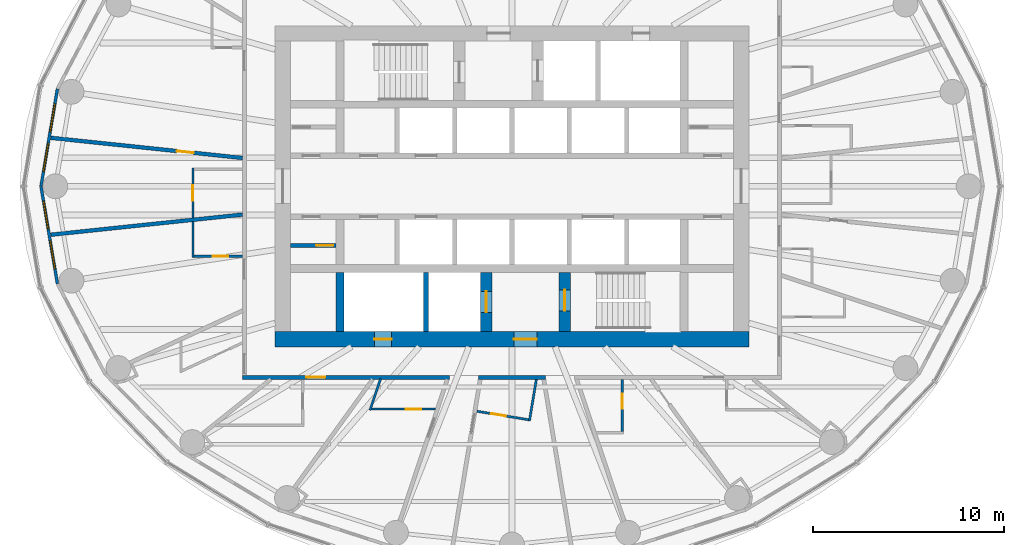
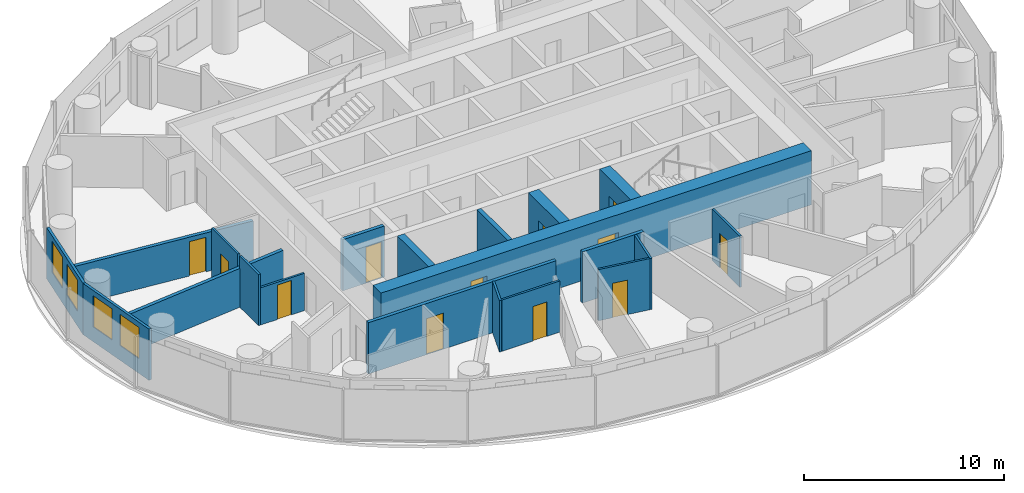
# One storey, part 7 of 13: 20 walls, 12 doors, 4 windows, 16 openings.
"""IFC4 building model written with IfcOpenShell, lengths in metres."""

from ifc_helpers import new_model, si_unit, direction, frame, frame_2d, origin, place, context, subcontext, project, spatial, rectangle, extrude, material, layer, layer_set, type_object, element, fill, save


model = new_model("IFC4")

# Units and contexts
model_context = context("Model", 3, precision=1e-05, world=origin(), true_north=direction((0.0, 1.0)))
body_context = subcontext(model_context, "Body", "Model", "MODEL_VIEW")
ifc_project = project(units=[si_unit("LENGTHUNIT", "METRE"), si_unit("AREAUNIT", "SQUARE_METRE"), si_unit("VOLUMEUNIT", "CUBIC_METRE"), si_unit("PLANEANGLEUNIT", "RADIAN"), si_unit("MASSUNIT", "GRAM", prefix="KILO")], contexts=[model_context])

# Site, building, storey
site_placement = place(None, origin())
site = spatial("IfcSite", under=ifc_project, at=site_placement, CompositionType="ELEMENT")
building_placement = place(site_placement, origin())
building = spatial("IfcBuilding", under=site, at=building_placement, Name="Hankou Lantern Tower", CompositionType="ELEMENT")
storey_placement = place(building_placement, frame((0.0, 0.0, 132.0)))
storey = spatial("IfcBuildingStorey", under=building, at=storey_placement, Name="L34", CompositionType="ELEMENT", Elevation=132.0)

# Wall, openings, doors
ifc_material_1 = material(Name="Concrete C60", Category="concrete")
ifc_layer_1 = layer(ifc_material_1, 0.800048828125)
ifc_layer_set_1 = layer_set([ifc_layer_1], Name="Concrete C60")
wall_type_1 = type_object("IfcWallType", Name="CW2 CORE WALL 800", PredefinedType="SHEAR", material=ifc_layer_set_1)
wall_1_placement = place(storey_placement, frame((12.39990234375, -8.0, 0.0), z_axis=(0.0, 0.0, 1.0), x_axis=(-1.0, 0.0, 0.0)))
wall_1 = element("IfcWall", 1, at=wall_1_placement, inside=storey, type_object=wall_type_1, Name="Core wall south L34", PredefinedType="SHEAR", context=body_context, shape_type="SweptSolid", body=[
    extrude(rectangle(XDim=24.7998046875, YDim=0.800048828125, at=frame_2d((12.39990234375, 0.0))), origin(), (0.0, 0.0, 1.0), 3.300048828125),
])
opening_1_placement = place(wall_1_placement, frame((11.10009765625, 0.0, 0.0)))
opening_1 = element("IfcOpeningElement", 2, at=opening_1_placement, cuts=wall_1, Name="Opening D5", PredefinedType="OPENING", context=body_context, shape_type="SweptSolid", body=[
    extrude(rectangle(XDim=1.199951171875, YDim=2.199951171875, at=frame_2d((0.60009765625, 1.10009765625))), frame((0.0, 0.409912109375, 0.0), z_axis=(0.0, -1.0, 0.0), x_axis=(1.0, 0.0, 0.0)), (0.0, 0.0, 1.0), 0.820068359375),
])
opening_2_placement = place(wall_1_placement, frame((18.699951171875, 0.0, 0.0)))
opening_2 = element("IfcOpeningElement", 3, at=opening_2_placement, cuts=wall_1, Name="Opening D7", PredefinedType="OPENING", context=body_context, shape_type="SweptSolid", body=[
    extrude(rectangle(XDim=0.89990234375, YDim=2.199951171875, at=frame_2d((0.449951171875, 1.10009765625))), frame((0.0, 0.409912109375, 0.0), z_axis=(0.0, -1.0, 0.0), x_axis=(1.0, 0.0, 0.0)), (0.0, 0.0, 1.0), 0.820068359375),
])
ifc_material_2 = material(Name="Steel door leaf", Category="steel")
door_type_1 = type_object("IfcDoorType", Name="D5 STAIR LOBBY DOOR 1200X2200", OperationType="SINGLE_SWING_LEFT", PredefinedType="DOOR", material=ifc_material_2)
door_1_placement = place(opening_1_placement, origin())
door_1 = element("IfcDoor", 4, at=door_1_placement, inside=storey, type_object=door_type_1, Name="Stair B lobby door", OperationType="SINGLE_SWING_LEFT", OverallHeight=2.199951171875, OverallWidth=1.199951171875, PredefinedType="DOOR", context=body_context, shape_type="SweptSolid", body=[
    extrude(rectangle(XDim=1.199951171875, YDim=2.199951171875, at=frame_2d((0.60009765625, 1.10009765625))), frame((0.0, 0.02490234375, 0.0), z_axis=(0.0, -1.0, 0.0), x_axis=(1.0, 0.0, 0.0)), (0.0, 0.0, 1.0), 0.050048828125),
])
fill(opening_1, door_1)
ifc_material_3 = material(Name="Steel door leaf", Category="steel")
door_type_2 = type_object("IfcDoorType", Name="D7 RISER DOOR 900X2200", OperationType="SINGLE_SWING_LEFT", PredefinedType="DOOR", material=ifc_material_3)
door_2_placement = place(opening_2_placement, origin())
door_2 = element("IfcDoor", 5, at=door_2_placement, inside=storey, type_object=door_type_2, Name="Riser S1 door", OperationType="SINGLE_SWING_RIGHT", OverallHeight=2.199951171875, OverallWidth=0.89990234375, PredefinedType="DOOR", context=body_context, shape_type="SweptSolid", body=[
    extrude(rectangle(XDim=0.89990234375, YDim=2.199951171875, at=frame_2d((0.449951171875, 1.10009765625))), frame((0.0, 0.02490234375, 0.0), z_axis=(0.0, -1.0, 0.0), x_axis=(1.0, 0.0, 0.0)), (0.0, 0.0, 1.0), 0.050048828125),
])
fill(opening_2, door_2)

# Wall
ifc_material_4 = material(Name="Concrete C60", Category="concrete")
ifc_layer_2 = layer(ifc_material_4, 0.39990234375)
ifc_layer_set_2 = layer_set([ifc_layer_2], Name="Concrete C60")
wall_type_2 = type_object("IfcWallType", Name="CW4 CORE CROSS WALL 400", PredefinedType="SHEAR", material=ifc_layer_set_2)
wall_2_placement = place(storey_placement, frame((-9.0, -7.60009765625, 0.0), z_axis=(0.0, 0.0, 1.0), x_axis=(0.0, 1.0, 0.0)))
element("IfcWall", 6, at=wall_2_placement, inside=storey, type_object=wall_type_2, Name="Core strip wall L34", PredefinedType="SHEAR", context=body_context, shape_type="SweptSolid", body=[
    extrude(rectangle(XDim=3.10009765625, YDim=0.39990234375, at=frame_2d((1.550048828125, 0.0))), origin(), (0.0, 0.0, 1.0), 3.300048828125),
])

# Wall, opening, door
ifc_material_5 = material(Name="Concrete C60", Category="concrete")
ifc_layer_3 = layer(ifc_material_5, 0.60009765625)
ifc_layer_set_3 = layer_set([ifc_layer_3], Name="Concrete C60")
wall_type_3 = type_object("IfcWallType", Name="CW6 STAIR AND SHAFT WALL 600", PredefinedType="SHEAR", material=ifc_layer_set_3)
wall_3_placement = place(storey_placement, frame((2.75, -7.60009765625, 0.0), z_axis=(0.0, 0.0, 1.0), x_axis=(0.0, 1.0, 0.0)))
wall_3 = element("IfcWall", 7, at=wall_3_placement, inside=storey, type_object=wall_type_3, Name="Stair wall L34", PredefinedType="SHEAR", context=body_context, shape_type="SweptSolid", body=[
    extrude(rectangle(XDim=3.10009765625, YDim=0.60009765625, at=frame_2d((1.550048828125, 0.0))), origin(), (0.0, 0.0, 1.0), 3.300048828125),
])
opening_3_placement = place(wall_3_placement, frame((1.074951171875, 0.0, 0.0)))
opening_3 = element("IfcOpeningElement", 8, at=opening_3_placement, cuts=wall_3, Name="Opening D4", PredefinedType="OPENING", context=body_context, shape_type="SweptSolid", body=[
    extrude(rectangle(XDim=1.10009765625, YDim=2.199951171875, at=frame_2d((0.550048828125, 1.10009765625))), frame((0.0, 0.31005859375, 0.0), z_axis=(0.0, -1.0, 0.0), x_axis=(1.0, 0.0, 0.0)), (0.0, 0.0, 1.0), 0.6201171875),
])
ifc_material_6 = material(Name="Steel door leaf", Category="steel")
door_type_3 = type_object("IfcDoorType", Name="D4 STAIR DOOR 1100X2200", OperationType="SINGLE_SWING_LEFT", PredefinedType="DOOR", material=ifc_material_6)
door_3_placement = place(opening_3_placement, origin())
door_3 = element("IfcDoor", 9, at=door_3_placement, inside=storey, type_object=door_type_3, Name="Stair B door", OperationType="SINGLE_SWING_RIGHT", OverallHeight=2.199951171875, OverallWidth=1.10009765625, PredefinedType="DOOR", context=body_context, shape_type="SweptSolid", body=[
    extrude(rectangle(XDim=1.10009765625, YDim=2.199951171875, at=frame_2d((0.550048828125, 1.10009765625))), frame((0.0, 0.02490234375, 0.0), z_axis=(0.0, -1.0, 0.0), x_axis=(1.0, 0.0, 0.0)), (0.0, 0.0, 1.0), 0.050048828125),
])
fill(opening_3, door_3)

wall_4_placement = place(storey_placement, frame((-1.35009765625, -7.60009765625, 0.0), z_axis=(0.0, 0.0, 1.0), x_axis=(0.0, 1.0, 0.0)))
wall_4 = element("IfcWall", 10, at=wall_4_placement, inside=storey, type_object=wall_type_3, Name="Firefighting lift shaft wall L34", PredefinedType="SHEAR", context=body_context, shape_type="SweptSolid", body=[
    extrude(rectangle(XDim=3.10009765625, YDim=0.60009765625, at=frame_2d((1.550048828125, 0.0))), origin(), (0.0, 0.0, 1.0), 3.300048828125),
])
opening_4_placement = place(wall_4_placement, frame((1.0, 0.0, 0.0)))
opening_4 = element("IfcOpeningElement", 11, at=opening_4_placement, cuts=wall_4, Name="Opening LD2", PredefinedType="OPENING", context=body_context, shape_type="SweptSolid", body=[
    extrude(rectangle(XDim=1.10009765625, YDim=2.199951171875, at=frame_2d((0.550048828125, 1.10009765625))), frame((0.0, 0.31005859375, 0.0), z_axis=(0.0, -1.0, 0.0), x_axis=(1.0, 0.0, 0.0)), (0.0, 0.0, 1.0), 0.6201171875),
])
ifc_material_7 = material(Name="Steel door leaf", Category="steel")
door_type_4 = type_object("IfcDoorType", Name="LD2 FIREFIGHTING LIFT LANDING DOOR 1100X2200", OperationType="DOUBLE_DOOR_SLIDING", PredefinedType="DOOR", material=ifc_material_7)
door_4_placement = place(opening_4_placement, origin())
door_4 = element("IfcDoor", 12, at=door_4_placement, inside=storey, type_object=door_type_4, Name="Firefighting lift FL2 landing door", OperationType="DOUBLE_DOOR_SLIDING", OverallHeight=2.199951171875, OverallWidth=1.10009765625, PredefinedType="DOOR", context=body_context, shape_type="SweptSolid", body=[
    extrude(rectangle(XDim=1.10009765625, YDim=2.199951171875, at=frame_2d((0.550048828125, 1.10009765625))), frame((0.0, 0.02490234375, 0.0), z_axis=(0.0, -1.0, 0.0), x_axis=(1.0, 0.0, 0.0)), (0.0, 0.0, 1.0), 0.050048828125),
])
fill(opening_4, door_4)

# Wall, openings, windows
ifc_material_8 = material(Name="Aluminium spandrel panel on steel studs", Category="steel")
ifc_layer_4 = layer(ifc_material_8, 0.14990234375)
ifc_layer_set_4 = layer_set([ifc_layer_4], Name="Aluminium spandrel panel on steel studs")
wall_type_4 = type_object("IfcWallType", Name="EW1 INNER SKIN WALL 150", PredefinedType="ELEMENTEDWALL", material=ifc_layer_set_4)
wall_5_placement = place(storey_placement, frame((-23.7919921875, 5.10009765625, 0.0), z_axis=(0.0, 0.0, 1.0), x_axis=(-0.165883894218, -0.986145290329, 0.0)))
wall_5 = element("IfcWall", 13, at=wall_5_placement, inside=storey, type_object=wall_type_4, Name="Inner skin R12-R13 L34", PredefinedType="ELEMENTEDWALL", context=body_context, shape_type="SweptSolid", body=[
    extrude(rectangle(XDim=5.171630859375, YDim=0.14990234375, at=frame_2d((2.5859375, 0.0))), origin(), (0.0, 0.0, 1.0), 3.1201171875),
])
opening_5_placement = place(wall_5_placement, frame((0.785888671875, 0.0, 0.89990234375)))
opening_5 = element("IfcOpeningElement", 14, at=opening_5_placement, cuts=wall_5, Name="Opening W2", PredefinedType="OPENING", context=body_context, shape_type="SweptSolid", body=[
    extrude(rectangle(XDim=1.5, YDim=1.89990234375, at=frame_2d((0.75, 0.949951171875))), frame((0.0, 0.0849609375, 0.0), z_axis=(0.0, -1.0, 0.0), x_axis=(1.0, 0.0, 0.0)), (0.0, 0.0, 1.0), 0.169921875),
])
opening_6_placement = place(wall_5_placement, frame((2.8857421875, 0.0, 0.89990234375)))
opening_6 = element("IfcOpeningElement", 15, at=opening_6_placement, cuts=wall_5, Name="Opening W2", PredefinedType="OPENING", context=body_context, shape_type="SweptSolid", body=[
    extrude(rectangle(XDim=1.5, YDim=1.89990234375, at=frame_2d((0.75, 0.949951171875))), frame((0.0, 0.0849609375, 0.0), z_axis=(0.0, -1.0, 0.0), x_axis=(1.0, 0.0, 0.0)), (0.0, 0.0, 1.0), 0.169921875),
])
ifc_material_9 = material(Name="Aluminium framed double glazed window", Category="aluminium")
window_type = type_object("IfcWindowType", Name="W2 GUEST ROOM WINDOW 1500X1900", PartitioningType="DOUBLE_PANEL_VERTICAL", PredefinedType="WINDOW", material=ifc_material_9)
window_1_placement = place(opening_5_placement, origin())
window_1 = element("IfcWindow", 16, at=window_1_placement, inside=storey, type_object=window_type, Name="Window R12.1 L34", OverallHeight=1.89990234375, OverallWidth=1.5, PartitioningType="SINGLE_PANEL", PredefinedType="WINDOW", context=body_context, shape_type="SweptSolid", body=[
    extrude(rectangle(XDim=1.5, YDim=1.89990234375, at=frame_2d((0.75, 0.949951171875))), frame((0.0, 0.030029296875, 0.0), z_axis=(0.0, -1.0, 0.0), x_axis=(1.0, 0.0, 0.0)), (0.0, 0.0, 1.0), 0.06005859375),
])
fill(opening_5, window_1)
window_2_placement = place(opening_6_placement, origin())
window_2 = element("IfcWindow", 17, at=window_2_placement, inside=storey, type_object=window_type, Name="Window R12.2 L34", OverallHeight=1.89990234375, OverallWidth=1.5, PartitioningType="SINGLE_PANEL", PredefinedType="WINDOW", context=body_context, shape_type="SweptSolid", body=[
    extrude(rectangle(XDim=1.5, YDim=1.89990234375, at=frame_2d((0.75, 0.949951171875))), frame((0.0, 0.030029296875, 0.0), z_axis=(0.0, -1.0, 0.0), x_axis=(1.0, 0.0, 0.0)), (0.0, 0.0, 1.0), 0.06005859375),
])
fill(opening_6, window_2)

wall_6_placement = place(storey_placement, frame((-24.64990234375, 0.0, 0.0), z_axis=(0.0, 0.0, 1.0), x_axis=(0.165883894218, -0.986145290329, 0.0)))
wall_6 = element("IfcWall", 18, at=wall_6_placement, inside=storey, type_object=wall_type_4, Name="Inner skin R13-R14 L34", PredefinedType="ELEMENTEDWALL", context=body_context, shape_type="SweptSolid", body=[
    extrude(rectangle(XDim=5.171630859375, YDim=0.14990234375, at=frame_2d((2.5859375, 0.0))), origin(), (0.0, 0.0, 1.0), 3.1201171875),
])
opening_7_placement = place(wall_6_placement, frame((0.785888671875, 0.0, 0.89990234375)))
opening_7 = element("IfcOpeningElement", 19, at=opening_7_placement, cuts=wall_6, Name="Opening W2", PredefinedType="OPENING", context=body_context, shape_type="SweptSolid", body=[
    extrude(rectangle(XDim=1.5, YDim=1.89990234375, at=frame_2d((0.75, 0.949951171875))), frame((0.0, 0.0849609375, 0.0), z_axis=(0.0, -1.0, 0.0), x_axis=(1.0, 0.0, 0.0)), (0.0, 0.0, 1.0), 0.169921875),
])
opening_8_placement = place(wall_6_placement, frame((2.8857421875, 0.0, 0.89990234375)))
opening_8 = element("IfcOpeningElement", 20, at=opening_8_placement, cuts=wall_6, Name="Opening W2", PredefinedType="OPENING", context=body_context, shape_type="SweptSolid", body=[
    extrude(rectangle(XDim=1.5, YDim=1.89990234375, at=frame_2d((0.75, 0.949951171875))), frame((0.0, 0.0849609375, 0.0), z_axis=(0.0, -1.0, 0.0), x_axis=(1.0, 0.0, 0.0)), (0.0, 0.0, 1.0), 0.169921875),
])
window_3_placement = place(opening_7_placement, origin())
window_3 = element("IfcWindow", 21, at=window_3_placement, inside=storey, type_object=window_type, Name="Window R13.1 L34", OverallHeight=1.89990234375, OverallWidth=1.5, PartitioningType="SINGLE_PANEL", PredefinedType="WINDOW", context=body_context, shape_type="SweptSolid", body=[
    extrude(rectangle(XDim=1.5, YDim=1.89990234375, at=frame_2d((0.75, 0.949951171875))), frame((0.0, 0.030029296875, 0.0), z_axis=(0.0, -1.0, 0.0), x_axis=(1.0, 0.0, 0.0)), (0.0, 0.0, 1.0), 0.06005859375),
])
fill(opening_7, window_3)
window_4_placement = place(opening_8_placement, origin())
window_4 = element("IfcWindow", 22, at=window_4_placement, inside=storey, type_object=window_type, Name="Window R13.2 L34", OverallHeight=1.89990234375, OverallWidth=1.5, PartitioningType="SINGLE_PANEL", PredefinedType="WINDOW", context=body_context, shape_type="SweptSolid", body=[
    extrude(rectangle(XDim=1.5, YDim=1.89990234375, at=frame_2d((0.75, 0.949951171875))), frame((0.0, 0.030029296875, 0.0), z_axis=(0.0, -1.0, 0.0), x_axis=(1.0, 0.0, 0.0)), (0.0, 0.0, 1.0), 0.06005859375),
])
fill(opening_8, window_4)

# Walls
ifc_material_10 = material(Name="Masonry lightweight concrete block", Category="masonry")
ifc_layer_5 = layer(ifc_material_10, 0.199951171875)
ifc_layer_set_5 = layer_set([ifc_layer_5], Name="Masonry lightweight concrete block")
wall_type_5 = type_object("IfcWallType", Name="IW1 GUEST ROOM PARTY WALL 200", PredefinedType="PARTITIONING", material=ifc_layer_set_5)
wall_7_placement = place(storey_placement, frame((-14.10009765625, -1.481689453125, 0.0), z_axis=(0.0, 0.0, 1.0), x_axis=(-0.994523202615, -0.104516024894, 0.0)))
element("IfcWall", 23, at=wall_7_placement, inside=storey, type_object=wall_type_5, Name="Party wall R13-R14", PredefinedType="PARTITIONING", context=body_context, shape_type="SweptSolid", body=[
    extrude(rectangle(XDim=10.091064453125, YDim=0.199951171875, at=frame_2d((5.04541015625, 0.0))), origin(), (0.0, 0.0, 1.0), 2.3701171875),
])
ifc_material_11 = material(Name="Masonry lightweight concrete block", Category="masonry")
ifc_layer_6 = layer(ifc_material_11, 0.199951171875)
ifc_layer_set_6 = layer_set([ifc_layer_6], Name="Masonry lightweight concrete block")
wall_type_6 = type_object("IfcWallType", Name="IW2 CORRIDOR WALL 200", PredefinedType="PARTITIONING", material=ifc_layer_set_6)
wall_8_placement = place(storey_placement, frame((1.76513671875, -10.0, 0.0), z_axis=(0.0, 0.0, 1.0), x_axis=(-1.0, 0.0, 0.0)))
element("IfcWall", 24, at=wall_8_placement, inside=storey, type_object=wall_type_6, Name="Corridor wall south", PredefinedType="PARTITIONING", context=body_context, shape_type="SweptSolid", body=[
    extrude(rectangle(XDim=3.5302734375, YDim=0.199951171875, at=frame_2d((1.76513671875, 0.0))), origin(), (0.0, 0.0, 1.0), 3.1201171875),
])

# Wall, opening, door
wall_9_placement = place(storey_placement, frame((-3.282958984375, -10.0, 0.0), z_axis=(0.0, 0.0, 1.0), x_axis=(-1.0, 0.0, 0.0)))
wall_9 = element("IfcWall", 25, at=wall_9_placement, inside=storey, type_object=wall_type_6, Name="Corridor wall south", PredefinedType="PARTITIONING", context=body_context, shape_type="SweptSolid", body=[
    extrude(rectangle(XDim=10.817138671875, YDim=0.199951171875, at=frame_2d((5.40869140625, 0.0))), origin(), (0.0, 0.0, 1.0), 3.1201171875),
])
opening_9_placement = place(wall_9_placement, frame((6.482177734375, 0.0, 0.0)))
opening_9 = element("IfcOpeningElement", 26, at=opening_9_placement, cuts=wall_9, Name="Opening D1", PredefinedType="OPENING", context=body_context, shape_type="SweptSolid", body=[
    extrude(rectangle(XDim=1.0, YDim=2.199951171875, at=frame_2d((0.5, 1.10009765625))), frame((0.0, 0.10986328125, 0.0), z_axis=(0.0, -1.0, 0.0), x_axis=(1.0, 0.0, 0.0)), (0.0, 0.0, 1.0), 0.219970703125),
])
ifc_material_12 = material(Name="Steel door leaf", Category="steel")
door_type_5 = type_object("IfcDoorType", Name="D1 GUEST ROOM DOOR 1000X2200", OperationType="SINGLE_SWING_LEFT", PredefinedType="DOOR", material=ifc_material_12)
door_5_placement = place(opening_9_placement, origin())
door_5 = element("IfcDoor", 27, at=door_5_placement, inside=storey, type_object=door_type_5, Name="Guest room door 3409", OperationType="SINGLE_SWING_RIGHT", OverallHeight=2.199951171875, OverallWidth=1.0, PredefinedType="DOOR", context=body_context, shape_type="SweptSolid", body=[
    extrude(rectangle(XDim=1.0, YDim=2.199951171875, at=frame_2d((0.5, 1.10009765625))), frame((0.0, 0.02490234375, 0.0), z_axis=(0.0, -1.0, 0.0), x_axis=(1.0, 0.0, 0.0)), (0.0, 0.0, 1.0), 0.050048828125),
])
fill(opening_9, door_5)

ifc_material_13 = material(Name="Masonry lightweight concrete block", Category="masonry")
ifc_layer_7 = layer(ifc_material_13, 0.1201171875)
ifc_layer_set_7 = layer_set([ifc_layer_7], Name="Masonry lightweight concrete block")
wall_type_7 = type_object("IfcWallType", Name="IW3 BATHROOM WALL 120", PredefinedType="PARTITIONING", material=ifc_layer_set_7)
wall_10_placement = place(storey_placement, frame((-16.699951171875, -1.655029296875, 0.0), z_axis=(0.0, 0.0, 1.0), x_axis=(0.0, 1.0, 0.0)))
wall_10 = element("IfcWall", 28, at=wall_10_placement, inside=storey, type_object=wall_type_7, Name="Box wall 3406A 1", PredefinedType="PARTITIONING", context=body_context, shape_type="SweptSolid", body=[
    extrude(rectangle(XDim=2.61328125, YDim=0.1201171875, at=frame_2d((1.306640625, 0.0))), origin(), (0.0, 0.0, 1.0), 3.1201171875),
])
opening_10_placement = place(wall_10_placement, frame((0.906494140625, 0.0, 0.0)))
opening_10 = element("IfcOpeningElement", 29, at=opening_10_placement, cuts=wall_10, Name="Opening D3", PredefinedType="OPENING", context=body_context, shape_type="SweptSolid", body=[
    extrude(rectangle(XDim=0.800048828125, YDim=2.10009765625, at=frame_2d((0.39990234375, 1.050048828125))), frame((0.0, 0.070068359375, 0.0), z_axis=(0.0, -1.0, 0.0), x_axis=(1.0, 0.0, 0.0)), (0.0, 0.0, 1.0), 0.14013671875),
])
ifc_material_14 = material(Name="Timber door leaf", Category="wood")
door_type_6 = type_object("IfcDoorType", Name="D3 BATHROOM DOOR 800X2100", OperationType="SINGLE_SWING_LEFT", PredefinedType="DOOR", material=ifc_material_14)
door_6_placement = place(opening_10_placement, origin())
door_6 = element("IfcDoor", 30, at=door_6_placement, inside=storey, type_object=door_type_6, Name="Corner suite 3406 bathroom door", OperationType="SINGLE_SWING_LEFT", OverallHeight=2.10009765625, OverallWidth=0.800048828125, PredefinedType="DOOR", context=body_context, shape_type="SweptSolid", body=[
    extrude(rectangle(XDim=0.800048828125, YDim=2.10009765625, at=frame_2d((0.39990234375, 1.050048828125))), frame((0.0, 0.02490234375, 0.0), z_axis=(0.0, -1.0, 0.0), x_axis=(1.0, 0.0, 0.0)), (0.0, 0.0, 1.0), 0.050048828125),
])
fill(opening_10, door_6)

# Wall
wall_11_placement = place(storey_placement, frame((-16.699951171875, -1.85498046875, 0.0), z_axis=(0.0, 0.0, 1.0), x_axis=(0.0, -1.0, 0.0)))
element("IfcWall", 31, at=wall_11_placement, inside=storey, type_object=wall_type_7, Name="Box wall 3407 1", PredefinedType="PARTITIONING", context=body_context, shape_type="SweptSolid", body=[
    extrude(rectangle(XDim=1.86669921875, YDim=0.1201171875, at=frame_2d((0.933349609375, 0.0))), origin(), (0.0, 0.0, 1.0), 3.1201171875),
])

# Wall, opening, door
wall_12_placement = place(storey_placement, frame((-14.10009765625, -3.661865234375, 0.0), z_axis=(0.0, 0.0, 1.0), x_axis=(-1.0, 0.0, 0.0)))
wall_12 = element("IfcWall", 32, at=wall_12_placement, inside=storey, type_object=wall_type_7, Name="Box wall 3407 1", PredefinedType="PARTITIONING", context=body_context, shape_type="SweptSolid", body=[
    extrude(rectangle(XDim=2.539794921875, YDim=0.1201171875, at=frame_2d((1.27001953125, 0.0))), origin(), (0.0, 0.0, 1.0), 2.27001953125),
])
opening_11_placement = place(wall_12_placement, frame((0.75, 0.0, 0.0)))
opening_11 = element("IfcOpeningElement", 33, at=opening_11_placement, cuts=wall_12, Name="Opening D3", PredefinedType="OPENING", context=body_context, shape_type="SweptSolid", body=[
    extrude(rectangle(XDim=0.800048828125, YDim=2.10009765625, at=frame_2d((0.39990234375, 1.050048828125))), frame((0.0, 0.070068359375, 0.0), z_axis=(0.0, -1.0, 0.0), x_axis=(1.0, 0.0, 0.0)), (0.0, 0.0, 1.0), 0.14013671875),
])
door_7_placement = place(opening_11_placement, origin())
door_7 = element("IfcDoor", 34, at=door_7_placement, inside=storey, type_object=door_type_6, Name="En-suite bathroom 3407 door", OperationType="SINGLE_SWING_LEFT", OverallHeight=2.10009765625, OverallWidth=0.800048828125, PredefinedType="DOOR", context=body_context, shape_type="SweptSolid", body=[
    extrude(rectangle(XDim=0.800048828125, YDim=2.10009765625, at=frame_2d((0.39990234375, 1.050048828125))), frame((0.0, 0.02490234375, 0.0), z_axis=(0.0, -1.0, 0.0), x_axis=(1.0, 0.0, 0.0)), (0.0, 0.0, 1.0), 0.050048828125),
])
fill(opening_11, door_7)

# Wall
wall_13_placement = place(storey_placement, frame((-6.877685546875, -10.068359375, 0.0), z_axis=(0.0, 0.0, 1.0), x_axis=(-0.317532394508, -0.948247424694, 0.0)))
element("IfcWall", 35, at=wall_13_placement, inside=storey, type_object=wall_type_7, Name="Box wall 3410 1", PredefinedType="PARTITIONING", context=body_context, shape_type="SweptSolid", body=[
    extrude(rectangle(XDim=1.739990234375, YDim=0.1201171875, at=frame_2d((0.8701171875, 0.0))), origin(), (0.0, 0.0, 1.0), 3.1201171875),
])

# Wall, opening, door
wall_14_placement = place(storey_placement, frame((-4.01123046875, -11.661376953125, 0.0), z_axis=(0.0, 0.0, 1.0), x_axis=(-1.0, 0.0, 0.0)))
wall_14 = element("IfcWall", 36, at=wall_14_placement, inside=storey, type_object=wall_type_7, Name="Box wall 3410 1", PredefinedType="PARTITIONING", context=body_context, shape_type="SweptSolid", body=[
    extrude(rectangle(XDim=3.340087890625, YDim=0.1201171875, at=frame_2d((1.669921875, 0.0))), origin(), (0.0, 0.0, 1.0), 3.1201171875),
])
opening_12_placement = place(wall_14_placement, frame((0.75, 0.0, 0.0)))
opening_12 = element("IfcOpeningElement", 37, at=opening_12_placement, cuts=wall_14, Name="Opening D3", PredefinedType="OPENING", context=body_context, shape_type="SweptSolid", body=[
    extrude(rectangle(XDim=0.800048828125, YDim=2.10009765625, at=frame_2d((0.39990234375, 1.050048828125))), frame((0.0, 0.070068359375, 0.0), z_axis=(0.0, -1.0, 0.0), x_axis=(1.0, 0.0, 0.0)), (0.0, 0.0, 1.0), 0.14013671875),
])
door_8_placement = place(opening_12_placement, origin())
door_8 = element("IfcDoor", 38, at=door_8_placement, inside=storey, type_object=door_type_6, Name="En-suite bathroom 3410 door", OperationType="SINGLE_SWING_LEFT", OverallHeight=2.10009765625, OverallWidth=0.800048828125, PredefinedType="DOOR", context=body_context, shape_type="SweptSolid", body=[
    extrude(rectangle(XDim=0.800048828125, YDim=2.10009765625, at=frame_2d((0.39990234375, 1.050048828125))), frame((0.0, 0.02490234375, 0.0), z_axis=(0.0, -1.0, 0.0), x_axis=(1.0, 0.0, 0.0)), (0.0, 0.0, 1.0), 0.050048828125),
])
fill(opening_12, door_8)

# Wall
wall_15_placement = place(storey_placement, frame((1.271240234375, -10.1162109375, 0.0), z_axis=(0.0, 0.0, 1.0), x_axis=(-0.162672481395, -0.986680122328, 0.0)))
element("IfcWall", 39, at=wall_15_placement, inside=storey, type_object=wall_type_7, Name="Box wall 3412 1", PredefinedType="PARTITIONING", context=body_context, shape_type="SweptSolid", body=[
    extrude(rectangle(XDim=2.20166015625, YDim=0.1201171875, at=frame_2d((1.100830078125, 0.0))), origin(), (0.0, 0.0, 1.0), 3.1201171875),
])

# Wall, opening, door
wall_16_placement = place(storey_placement, frame((-1.83984375, -11.77392578125, 0.0), z_axis=(0.0, 0.0, 1.0), x_axis=(0.986676602341, -0.162693830222, 0.0)))
wall_16 = element("IfcWall", 40, at=wall_16_placement, inside=storey, type_object=wall_type_7, Name="Box wall 3412 1", PredefinedType="PARTITIONING", context=body_context, shape_type="SweptSolid", body=[
    extrude(rectangle(XDim=2.740234375, YDim=0.1201171875, at=frame_2d((1.3701171875, 0.0))), origin(), (0.0, 0.0, 1.0), 3.1201171875),
])
opening_13_placement = place(wall_16_placement, frame((0.75, 0.0, 0.0)))
opening_13 = element("IfcOpeningElement", 41, at=opening_13_placement, cuts=wall_16, Name="Opening D3", PredefinedType="OPENING", context=body_context, shape_type="SweptSolid", body=[
    extrude(rectangle(XDim=0.800048828125, YDim=2.10009765625, at=frame_2d((0.39990234375, 1.050048828125))), frame((0.0, 0.070068359375, 0.0), z_axis=(0.0, -1.0, 0.0), x_axis=(1.0, 0.0, 0.0)), (0.0, 0.0, 1.0), 0.14013671875),
])
door_9_placement = place(opening_13_placement, origin())
door_9 = element("IfcDoor", 42, at=door_9_placement, inside=storey, type_object=door_type_6, Name="En-suite bathroom 3412 door", OperationType="SINGLE_SWING_LEFT", OverallHeight=2.10009765625, OverallWidth=0.800048828125, PredefinedType="DOOR", context=body_context, shape_type="SweptSolid", body=[
    extrude(rectangle(XDim=0.800048828125, YDim=2.10009765625, at=frame_2d((0.39990234375, 1.050048828125))), frame((0.0, 0.02490234375, 0.0), z_axis=(0.0, -1.0, 0.0), x_axis=(1.0, 0.0, 0.0)), (0.0, 0.0, 1.0), 0.050048828125),
])
fill(opening_13, door_9)

wall_17_placement = place(storey_placement, frame((5.762939453125, -10.10009765625, 0.0), z_axis=(0.0, 0.0, 1.0), x_axis=(0.0, -1.0, 0.0)))
wall_17 = element("IfcWall", 43, at=wall_17_placement, inside=storey, type_object=wall_type_7, Name="Box wall 3414A 1", PredefinedType="PARTITIONING", context=body_context, shape_type="SweptSolid", body=[
    extrude(rectangle(XDim=2.739990234375, YDim=0.1201171875, at=frame_2d((1.3701171875, 0.0))), origin(), (0.0, 0.0, 1.0), 3.1201171875),
])
opening_14_placement = place(wall_17_placement, frame((0.75, 0.0, 0.0)))
opening_14 = element("IfcOpeningElement", 44, at=opening_14_placement, cuts=wall_17, Name="Opening D3", PredefinedType="OPENING", context=body_context, shape_type="SweptSolid", body=[
    extrude(rectangle(XDim=0.800048828125, YDim=2.10009765625, at=frame_2d((0.39990234375, 1.050048828125))), frame((0.0, 0.070068359375, 0.0), z_axis=(0.0, -1.0, 0.0), x_axis=(1.0, 0.0, 0.0)), (0.0, 0.0, 1.0), 0.14013671875),
])
door_10_placement = place(opening_14_placement, origin())
door_10 = element("IfcDoor", 45, at=door_10_placement, inside=storey, type_object=door_type_6, Name="Suite 3414 bathroom door", OperationType="SINGLE_SWING_LEFT", OverallHeight=2.10009765625, OverallWidth=0.800048828125, PredefinedType="DOOR", context=body_context, shape_type="SweptSolid", body=[
    extrude(rectangle(XDim=0.800048828125, YDim=2.10009765625, at=frame_2d((0.39990234375, 1.050048828125))), frame((0.0, 0.02490234375, 0.0), z_axis=(0.0, -1.0, 0.0), x_axis=(1.0, 0.0, 0.0)), (0.0, 0.0, 1.0), 0.050048828125),
])
fill(opening_14, door_10)

ifc_material_15 = material(Name="Masonry lightweight concrete block", Category="masonry")
ifc_layer_8 = layer(ifc_material_15, 0.199951171875)
ifc_layer_set_8 = layer_set([ifc_layer_8], Name="Masonry lightweight concrete block")
wall_type_8 = type_object("IfcWallType", Name="IW6 SUITE PARTITION 200", PredefinedType="PARTITIONING", material=ifc_layer_set_8)
wall_18_placement = place(storey_placement, frame((-14.10009765625, 1.481689453125, 0.0), z_axis=(0.0, 0.0, 1.0), x_axis=(-0.994523202615, 0.104516024894, 0.0)))
wall_18 = element("IfcWall", 46, at=wall_18_placement, inside=storey, type_object=wall_type_8, Name="Suite partition R12-R13", PredefinedType="PARTITIONING", context=body_context, shape_type="SweptSolid", body=[
    extrude(rectangle(XDim=10.091064453125, YDim=0.199951171875, at=frame_2d((5.04541015625, 0.0))), origin(), (0.0, 0.0, 1.0), 2.3701171875),
])
opening_15_placement = place(wall_18_placement, frame((2.570068359375, 0.0, 0.0)))
opening_15 = element("IfcOpeningElement", 47, at=opening_15_placement, cuts=wall_18, Name="Opening D27", PredefinedType="OPENING", context=body_context, shape_type="SweptSolid", body=[
    extrude(rectangle(XDim=0.89990234375, YDim=2.10009765625, at=frame_2d((0.449951171875, 1.050048828125))), frame((0.0, 0.10986328125, 0.0), z_axis=(0.0, -1.0, 0.0), x_axis=(1.0, 0.0, 0.0)), (0.0, 0.0, 1.0), 0.219970703125),
])
ifc_material_16 = material(Name="Timber door leaf", Category="wood")
door_type_7 = type_object("IfcDoorType", Name="D27 INTERNAL DOOR 900X2100", OperationType="SINGLE_SWING_LEFT", PredefinedType="DOOR", material=ifc_material_16)
door_11_placement = place(opening_15_placement, origin())
door_11 = element("IfcDoor", 48, at=door_11_placement, inside=storey, type_object=door_type_7, Name="Corner suite 3406 bedroom door", OperationType="SINGLE_SWING_LEFT", OverallHeight=2.10009765625, OverallWidth=0.89990234375, PredefinedType="DOOR", context=body_context, shape_type="SweptSolid", body=[
    extrude(rectangle(XDim=0.89990234375, YDim=2.10009765625, at=frame_2d((0.449951171875, 1.050048828125))), frame((0.0, 0.02490234375, 0.0), z_axis=(0.0, -1.0, 0.0), x_axis=(1.0, 0.0, 0.0)), (0.0, 0.0, 1.0), 0.050048828125),
])
fill(opening_15, door_11)

ifc_material_17 = material(Name="Masonry lightweight concrete block", Category="masonry")
ifc_layer_9 = layer(ifc_material_17, 0.199951171875)
ifc_layer_set_9 = layer_set([ifc_layer_9], Name="Masonry lightweight concrete block")
wall_type_9 = type_object("IfcWallType", Name="IW8 PARTITION 200", PredefinedType="PARTITIONING", material=ifc_layer_set_9)
wall_19_placement = place(storey_placement, frame((-11.60009765625, -3.10009765625, 0.0), z_axis=(0.0, 0.0, 1.0), x_axis=(1.0, 0.0, 0.0)))
wall_19 = element("IfcWall", 49, at=wall_19_placement, inside=storey, type_object=wall_type_9, Name="Partition room service pantry", PredefinedType="PARTITIONING", context=body_context, shape_type="SweptSolid", body=[
    extrude(rectangle(XDim=2.400146484375, YDim=0.199951171875, at=frame_2d((1.2001953125, 0.0))), origin(), (0.0, 0.0, 1.0), 3.1201171875),
])
opening_16_placement = place(wall_19_placement, frame((1.35009765625, 0.0, 0.0)))
opening_16 = element("IfcOpeningElement", 50, at=opening_16_placement, cuts=wall_19, Name="Opening D12", PredefinedType="OPENING", context=body_context, shape_type="SweptSolid", body=[
    extrude(rectangle(XDim=0.89990234375, YDim=2.199951171875, at=frame_2d((0.449951171875, 1.10009765625))), frame((0.0, 0.10986328125, 0.0), z_axis=(0.0, -1.0, 0.0), x_axis=(1.0, 0.0, 0.0)), (0.0, 0.0, 1.0), 0.219970703125),
])
ifc_material_18 = material(Name="Steel door leaf", Category="steel")
door_type_8 = type_object("IfcDoorType", Name="D12 STORE DOOR 900X2200", OperationType="SINGLE_SWING_LEFT", PredefinedType="DOOR", material=ifc_material_18)
door_12_placement = place(opening_16_placement, origin())
door_12 = element("IfcDoor", 51, at=door_12_placement, inside=storey, type_object=door_type_8, Name="Room service cupboard door", OperationType="SINGLE_SWING_RIGHT", OverallHeight=2.199951171875, OverallWidth=0.89990234375, PredefinedType="DOOR", context=body_context, shape_type="SweptSolid", body=[
    extrude(rectangle(XDim=0.89990234375, YDim=2.199951171875, at=frame_2d((0.449951171875, 1.10009765625))), frame((0.0, 0.02490234375, 0.0), z_axis=(0.0, -1.0, 0.0), x_axis=(1.0, 0.0, 0.0)), (0.0, 0.0, 1.0), 0.050048828125),
])
fill(opening_16, door_12)

# Wall
ifc_material_19 = material(Name="Masonry autoclaved aerated concrete block", Category="masonry")
ifc_layer_10 = layer(ifc_material_19, 0.25)
ifc_layer_set_10 = layer_set([ifc_layer_10], Name="Masonry autoclaved aerated concrete block")
wall_type_10 = type_object("IfcWallType", Name="SW1 SHAFT BLOCK WALL 250", PredefinedType="PARTITIONING", material=ifc_layer_set_10)
wall_20_placement = place(storey_placement, frame((-4.5, -7.60009765625, 0.0), z_axis=(0.0, 0.0, 1.0), x_axis=(0.0, 1.0, 0.0)))
element("IfcWall", 52, at=wall_20_placement, inside=storey, type_object=wall_type_10, Name="Riser wall L34", PredefinedType="PARTITIONING", context=body_context, shape_type="SweptSolid", body=[
    extrude(rectangle(XDim=3.10009765625, YDim=0.25, at=frame_2d((1.550048828125, 0.0))), origin(), (0.0, 0.0, 1.0), 3.300048828125),
])

save(model, "model.ifc")
